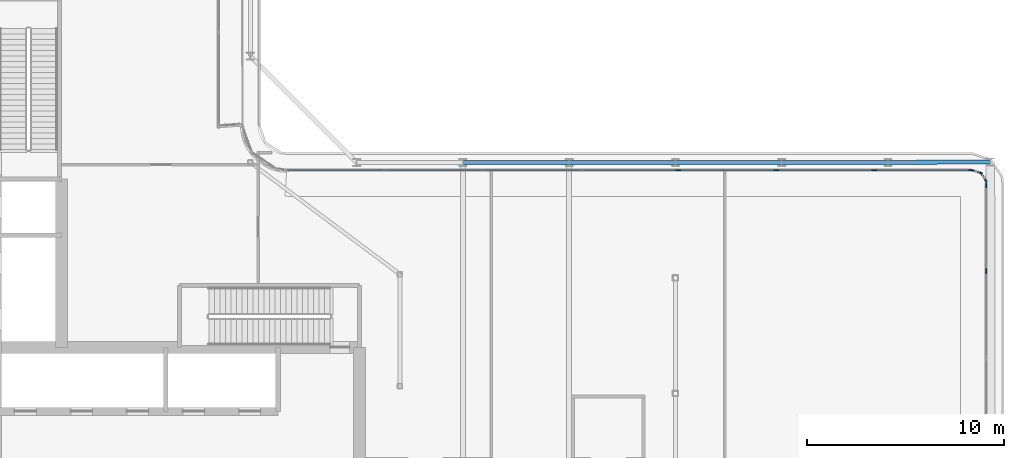
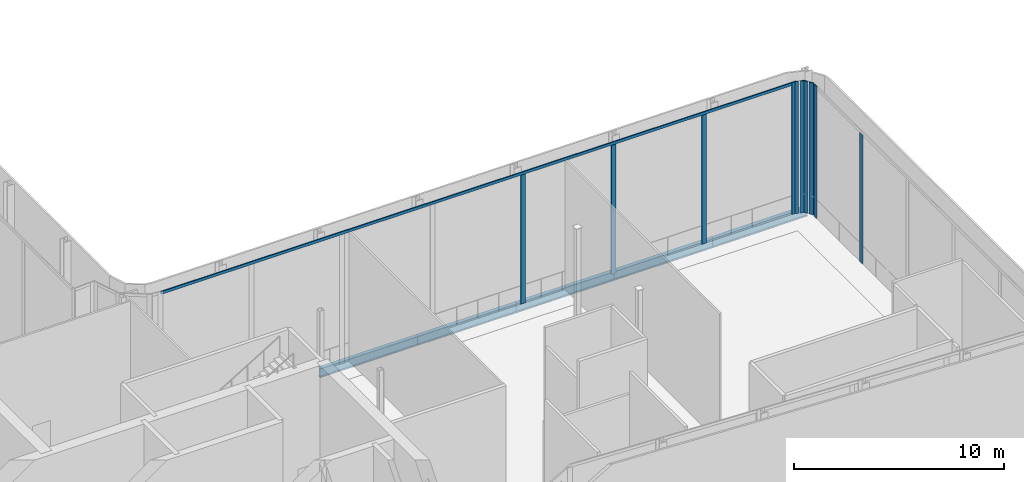
# One storey, part 8 of 27: 11 members, 5 beams, 4 elements without a shape of their own.
"""IFC4 building model written with IfcOpenShell, lengths in metres."""

from ifc_helpers import new_model, si_unit, direction, frame, origin, origin_2d, place, context, subcontext, project, spatial, rectangle, i_section, extrude, material, layer, layer_set, material_profile, profile_set, type_object, element, aggregate, save


model = new_model("IFC4")

# Units and contexts
model_context = context("Model", 3, precision=1e-05, world=origin(), true_north=direction((0.0, 1.0)))
body_context = subcontext(model_context, "Body", "Model", "MODEL_VIEW")
ifc_project = project(units=[si_unit("LENGTHUNIT", "METRE"), si_unit("AREAUNIT", "SQUARE_METRE"), si_unit("VOLUMEUNIT", "CUBIC_METRE"), si_unit("PLANEANGLEUNIT", "RADIAN"), si_unit("MASSUNIT", "GRAM", prefix="KILO")], contexts=[model_context])

# Site, building, storey
site_placement = place(None, origin())
site = spatial("IfcSite", under=ifc_project, at=site_placement, CompositionType="ELEMENT")
building_placement = place(site_placement, origin())
building = spatial("IfcBuilding", under=site, at=building_placement, Name="Kheshtan School and Residences Tower", CompositionType="ELEMENT")
storey_placement = place(building_placement, frame((0.0, 0.0, 266.89990234375)))
storey = spatial("IfcBuildingStorey", under=building, at=storey_placement, Name="L63", CompositionType="ELEMENT", Elevation=266.89990234375)

# Beams
ifc_material_1 = material(Name="Steel ASTM A992 Grade 50", Category="steel")
ifc_material_profile_1 = material_profile(ifc_material_1, i_section(OverallWidth=0.208984375, OverallDepth=0.532958984375, WebThickness=0.01025390625, FlangeThickness=0.015625, FilletRadius=0.013916015625, at=origin_2d()), Name="W530x92")
ifc_profile_set_1 = profile_set([ifc_material_profile_1], Name="Steel ASTM A992 Grade 50")
beam_type = type_object("IfcBeamType", Name="Beam SP3 W530x92 ASTM A992 Grade 50", PredefinedType="BEAM", material=ifc_profile_set_1)
beam_1_placement = place(storey_placement, frame((58.39990234375, 45.60009765625, -0.41650390625), z_axis=(1.0, 0.0, 0.0), x_axis=(0.0, 1.0, 0.0)))
element("IfcBeam", 1, at=beam_1_placement, inside=storey, type_object=beam_type, Name="Spandrel beam C062-C063", PredefinedType="BEAM", context=body_context, shape_type="SweptSolid", body=[
    extrude(i_section(OverallWidth=0.208984375, OverallDepth=0.532958984375, WebThickness=0.01025390625, FlangeThickness=0.015625, FilletRadius=0.013916015625, at=origin_2d()), origin(), (0.0, 0.0, 1.0), 5.400146484375),
])
beam_2_placement = place(storey_placement, frame((63.800048828125, 45.60009765625, -0.41650390625), z_axis=(1.0, 0.0, 0.0), x_axis=(0.0, 1.0, 0.0)))
element("IfcBeam", 2, at=beam_2_placement, inside=storey, type_object=beam_type, Name="Spandrel beam C063-C064", PredefinedType="BEAM", context=body_context, shape_type="SweptSolid", body=[
    extrude(i_section(OverallWidth=0.208984375, OverallDepth=0.532958984375, WebThickness=0.01025390625, FlangeThickness=0.015625, FilletRadius=0.013916015625, at=origin_2d()), origin(), (0.0, 0.0, 1.0), 5.39990234375),
])
beam_3_placement = place(storey_placement, frame((69.199951171875, 45.60009765625, -0.41650390625), z_axis=(1.0, 0.0, 0.0), x_axis=(0.0, 1.0, 0.0)))
element("IfcBeam", 3, at=beam_3_placement, inside=storey, type_object=beam_type, Name="Spandrel beam C064-C065", PredefinedType="BEAM", context=body_context, shape_type="SweptSolid", body=[
    extrude(i_section(OverallWidth=0.208984375, OverallDepth=0.532958984375, WebThickness=0.01025390625, FlangeThickness=0.015625, FilletRadius=0.013916015625, at=origin_2d()), origin(), (0.0, 0.0, 1.0), 5.400146484375),
])
beam_4_placement = place(storey_placement, frame((74.60009765625, 45.60009765625, -0.41650390625), z_axis=(1.0, 0.0, 0.0), x_axis=(0.0, 1.0, 0.0)))
element("IfcBeam", 4, at=beam_4_placement, inside=storey, type_object=beam_type, Name="Spandrel beam C065-C066", PredefinedType="BEAM", context=body_context, shape_type="SweptSolid", body=[
    extrude(i_section(OverallWidth=0.208984375, OverallDepth=0.532958984375, WebThickness=0.01025390625, FlangeThickness=0.015625, FilletRadius=0.013916015625, at=origin_2d()), origin(), (0.0, 0.0, 1.0), 5.39990234375),
])
beam_5_placement = place(storey_placement, frame((80.0, 45.60009765625, -0.41650390625), z_axis=(0.999985687161, 0.005350277765, 0.0), x_axis=(-0.005350277765, 0.999985687161, 0.0)))
element("IfcBeam", 5, at=beam_5_placement, inside=storey, type_object=beam_type, Name="Spandrel beam C066-C076", PredefinedType="BEAM", context=body_context, shape_type="SweptSolid", body=[
    extrude(i_section(OverallWidth=0.208984375, OverallDepth=0.532958984375, WebThickness=0.01025390625, FlangeThickness=0.015625, FilletRadius=0.013916015625, at=origin_2d()), origin(), (0.0, 0.0, 1.0), 5.201904296875),
])

# Curtain wall, members
ifc_material_2 = material(Name="Clear low-e glass in thermally broken aluminium frame", Category="aluminium")
ifc_layer = layer(ifc_material_2, 0.25)
ifc_layer_set = layer_set([ifc_layer], Name="Curtain wall CW-K")
curtain_wall_type = type_object("IfcCurtainWallType", Name="Curtain wall CW-K", PredefinedType="NOTDEFINED", material=ifc_layer_set)
curtain_wall_1_placement = place(storey_placement, origin())
curtain_wall_1 = element("IfcCurtainWall", 6, at=curtain_wall_1_placement, inside=storey, type_object=curtain_wall_type, Name="Curtain wall CWK1a", PredefinedType="NOTDEFINED")
ifc_material_3 = material(Name="Thermally broken aluminium, dark bronze anodised", Category="aluminium")
ifc_material_profile_2 = material_profile(ifc_material_3, rectangle(XDim=0.06005859375, YDim=0.25, at=origin_2d()), Name="CW-K mullion 60x250")
ifc_profile_set_2 = profile_set([ifc_material_profile_2], Name="Thermally broken aluminium, dark bronze anodised")
member_type_1 = type_object("IfcMemberType", Name="CW-K mullion 60x250", PredefinedType="MULLION", material=ifc_profile_set_2)
member_1_placement = place(storey_placement, frame((84.328857421875, 45.18603515625, 0.0), z_axis=(0.0, 0.0, 1.0), x_axis=(0.303900450271, 0.952703792543, 0.0)))
member_1 = element("IfcMember", 7, at=member_1_placement, type_object=member_type_1, Name="CWK1a mullion 1", PredefinedType="MULLION", context=body_context, shape_type="SweptSolid", body=[
    extrude(rectangle(XDim=0.06005859375, YDim=0.25, at=origin_2d()), origin(), (0.0, 0.0, 1.0), 7.650146484375),
])
member_2_placement = place(storey_placement, frame((84.666748046875, 45.078369140625, 0.0), z_axis=(0.0, 0.0, 1.0), x_axis=(0.303900450271, 0.952703792543, 0.0)))
member_2 = element("IfcMember", 8, at=member_2_placement, type_object=member_type_1, Name="CWK1a mullion 2", PredefinedType="MULLION", context=body_context, shape_type="SweptSolid", body=[
    extrude(rectangle(XDim=0.06005859375, YDim=0.25, at=origin_2d()), origin(), (0.0, 0.0, 1.0), 7.650146484375),
])
aggregate(curtain_wall_1, [member_1, member_2])

curtain_wall_2_placement = place(storey_placement, origin())
curtain_wall_2 = element("IfcCurtainWall", 9, at=curtain_wall_2_placement, inside=storey, type_object=curtain_wall_type, Name="Curtain wall CWK2a", PredefinedType="NOTDEFINED")
member_3_placement = place(storey_placement, frame((84.764892578125, 45.004638671875, 0.0), z_axis=(0.0, 0.0, 1.0), x_axis=(0.831648992198, 0.555301678168, 0.0)))
member_3 = element("IfcMember", 10, at=member_3_placement, type_object=member_type_1, Name="CWK2a mullion 1", PredefinedType="MULLION", context=body_context, shape_type="SweptSolid", body=[
    extrude(rectangle(XDim=0.06005859375, YDim=0.25, at=origin_2d()), origin(), (0.0, 0.0, 1.0), 7.650146484375),
])
member_4_placement = place(storey_placement, frame((84.944580078125, 44.735595703125, 0.0), z_axis=(0.0, 0.0, 1.0), x_axis=(0.831648992198, 0.555301678168, 0.0)))
member_4 = element("IfcMember", 11, at=member_4_placement, type_object=member_type_1, Name="CWK2a mullion 2", PredefinedType="MULLION", context=body_context, shape_type="SweptSolid", body=[
    extrude(rectangle(XDim=0.06005859375, YDim=0.25, at=origin_2d()), origin(), (0.0, 0.0, 1.0), 7.650146484375),
])
aggregate(curtain_wall_2, [member_3, member_4])

curtain_wall_3_placement = place(storey_placement, origin())
curtain_wall_3 = element("IfcCurtainWall", 12, at=curtain_wall_3_placement, inside=storey, type_object=curtain_wall_type, Name="Curtain wall CWK3a", PredefinedType="NOTDEFINED")
member_5_placement = place(storey_placement, frame((85.0, 44.43994140625, 0.0), z_axis=(0.0, 0.0, 1.0), x_axis=(1.0, 0.0, 0.0)))
member_5 = element("IfcMember", 13, at=member_5_placement, type_object=member_type_1, Name="CWK3a mullion 1", PredefinedType="MULLION", context=body_context, shape_type="SweptSolid", body=[
    extrude(rectangle(XDim=0.06005859375, YDim=0.25, at=origin_2d()), origin(), (0.0, 0.0, 1.0), 7.650146484375),
])
member_6_placement = place(storey_placement, frame((85.0, 40.069091796875, 0.0), z_axis=(0.0, 0.0, 1.0), x_axis=(1.0, 0.0, 0.0)))
member_6 = element("IfcMember", 14, at=member_6_placement, type_object=member_type_1, Name="CWK3a mullion 2", PredefinedType="MULLION", context=body_context, shape_type="SweptSolid", body=[
    extrude(rectangle(XDim=0.06005859375, YDim=0.25, at=origin_2d()), origin(), (0.0, 0.0, 1.0), 7.489990234375),
])
aggregate(curtain_wall_3, [member_5, member_6])

curtain_wall_4_placement = place(storey_placement, origin())
curtain_wall_4 = element("IfcCurtainWall", 15, at=curtain_wall_4_placement, inside=storey, type_object=curtain_wall_type, Name="Curtain wall CWK24a", PredefinedType="NOTDEFINED")
member_7_placement = place(storey_placement, frame((69.355224609375, 45.199951171875, 0.0), z_axis=(0.0, 0.0, 1.0), x_axis=(0.0, 1.0, 0.0)))
member_7 = element("IfcMember", 16, at=member_7_placement, type_object=member_type_1, Name="CWK24a mullion 5", PredefinedType="MULLION", context=body_context, shape_type="SweptSolid", body=[
    extrude(rectangle(XDim=0.06005859375, YDim=0.25, at=origin_2d()), origin(), (0.0, 0.0, 1.0), 7.489990234375),
])
member_8_placement = place(storey_placement, frame((74.326904296875, 45.199951171875, 0.0), z_axis=(0.0, 0.0, 1.0), x_axis=(0.0, 1.0, 0.0)))
member_8 = element("IfcMember", 17, at=member_8_placement, type_object=member_type_1, Name="CWK24a mullion 6", PredefinedType="MULLION", context=body_context, shape_type="SweptSolid", body=[
    extrude(rectangle(XDim=0.06005859375, YDim=0.25, at=origin_2d()), origin(), (0.0, 0.0, 1.0), 7.489990234375),
])
member_9_placement = place(storey_placement, frame((79.29833984375, 45.199951171875, 0.0), z_axis=(0.0, 0.0, 1.0), x_axis=(0.0, 1.0, 0.0)))
member_9 = element("IfcMember", 18, at=member_9_placement, type_object=member_type_1, Name="CWK24a mullion 7", PredefinedType="MULLION", context=body_context, shape_type="SweptSolid", body=[
    extrude(rectangle(XDim=0.06005859375, YDim=0.25, at=origin_2d()), origin(), (0.0, 0.0, 1.0), 7.489990234375),
])
member_10_placement = place(storey_placement, frame((84.239990234375, 45.199951171875, 0.0), z_axis=(0.0, 0.0, 1.0), x_axis=(0.0, 1.0, 0.0)))
member_10 = element("IfcMember", 19, at=member_10_placement, type_object=member_type_1, Name="CWK24a mullion 8", PredefinedType="MULLION", context=body_context, shape_type="SweptSolid", body=[
    extrude(rectangle(XDim=0.06005859375, YDim=0.25, at=origin_2d()), origin(), (0.0, 0.0, 1.0), 7.650146484375),
])
ifc_material_profile_3 = material_profile(ifc_material_3, rectangle(XDim=0.06005859375, YDim=0.159912109375, at=origin_2d()), Name="CW-K transom 60x160")
ifc_profile_set_3 = profile_set([ifc_material_profile_3], Name="Thermally broken aluminium, dark bronze anodised")
member_type_2 = type_object("IfcMemberType", Name="CW-K transom 60x160", PredefinedType="USERDEFINED", material=ifc_profile_set_3)
member_11_placement = place(storey_placement, frame((49.482666015625, 45.199951171875, 7.570068359375), z_axis=(1.0, 0.0, 0.0), x_axis=(0.0, 1.0, 0.0)))
member_11 = element("IfcMember", 20, at=member_11_placement, type_object=member_type_2, Name="CWK24a transom 1", ObjectType="TRANSOM", PredefinedType="USERDEFINED", context=body_context, shape_type="SweptSolid", body=[
    extrude(rectangle(XDim=0.06005859375, YDim=0.159912109375, at=origin_2d()), origin(), (0.0, 0.0, 1.0), 34.727294921875),
])
aggregate(curtain_wall_4, [member_7, member_8, member_9, member_10, member_11])

save(model, "model.ifc")
